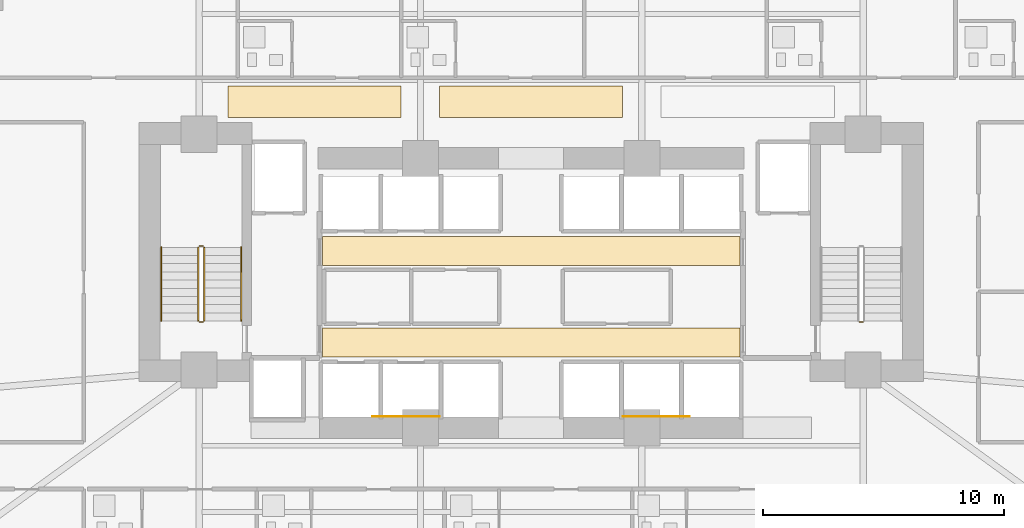
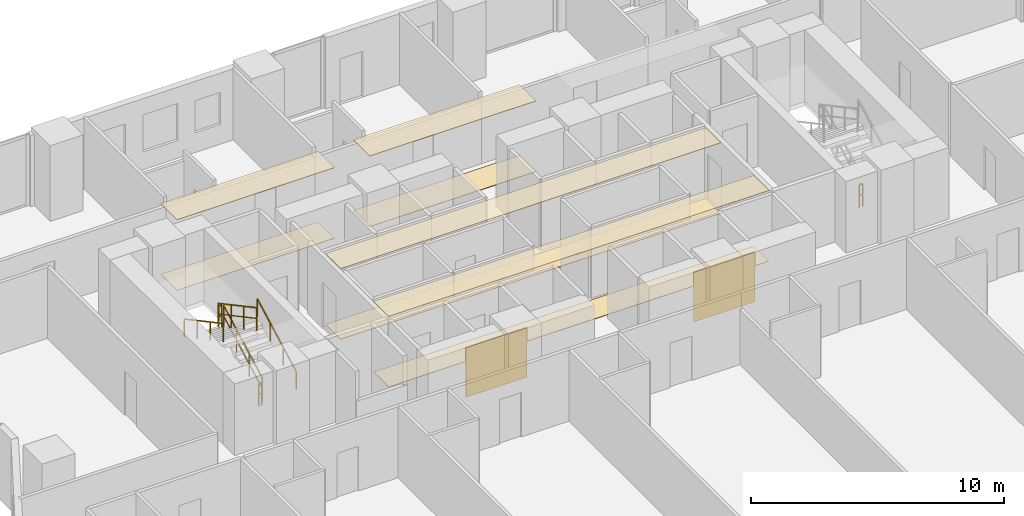
# One storey, part 25 of 28: 10 coverings, 7 railings.
"""IFC4 building model written with IfcOpenShell, lengths in metres."""

from ifc_helpers import new_model, si_unit, direction, frame, origin, origin_2d, place, context, subcontext, project, spatial, polyline, rectangle, outline, extrude, material, layer, layer_set, type_object, element, save


model = new_model("IFC4")

# Units and contexts
model_context = context("Model", 3, precision=1e-05, world=origin(), true_north=direction((0.0, 1.0)))
body_context = subcontext(model_context, "Body", "Model", "MODEL_VIEW")
ifc_project = project(units=[si_unit("LENGTHUNIT", "METRE"), si_unit("AREAUNIT", "SQUARE_METRE"), si_unit("VOLUMEUNIT", "CUBIC_METRE"), si_unit("PLANEANGLEUNIT", "RADIAN"), si_unit("MASSUNIT", "GRAM", prefix="KILO")], contexts=[model_context])

# Site, building, storey
site_placement = place(None, origin())
site = spatial("IfcSite", under=ifc_project, at=site_placement, CompositionType="ELEMENT")
building_placement = place(site_placement, origin())
building = spatial("IfcBuilding", under=site, at=building_placement, Name="Zuhayl Quay Hotel", CompositionType="ELEMENT")
storey_placement = place(building_placement, frame((0.0, 0.0, 49.5)))
storey = spatial("IfcBuildingStorey", under=building, at=storey_placement, Name="L11", CompositionType="ELEMENT", Elevation=49.5)

# Coverings
ifc_material_1 = material(Name="Acoustic Mineral-Fibre Gypsum Board")
ifc_layer_1 = layer(ifc_material_1, 0.02490234375, Name="Acoustic Mineral-Fibre Gypsum Board")
ifc_layer_set_1 = layer_set([ifc_layer_1], Name="Acoustic Mineral-Fibre Gypsum Board")
covering_type_1 = type_object("IfcCoveringType", Name="CV_CEIL_ACOUSTIC", PredefinedType="CEILING", material=ifc_layer_set_1)
covering_1_placement = place(storey_placement, frame((0.0, 0.0, 3.405029296875)))
element("IfcCovering", 1, at=covering_1_placement, inside=storey, type_object=covering_type_1, Name="L11 Suspended Acoustic Lobby Ceiling S", PredefinedType="CEILING", context=body_context, shape_type="SweptSolid", body=[
    extrude(outline(polyline([(-8.679931640625, 5.10009765625), (8.679931640625, 5.10009765625), (8.679931640625, 6.300048828125), (-8.679931640625, 6.300048828125), (-8.679931640625, 5.10009765625)])), origin(), (0.0, 0.0, 1.0), 0.02490234375),
])
covering_2_placement = place(storey_placement, frame((0.0, 0.0, 3.405029296875)))
element("IfcCovering", 2, at=covering_2_placement, inside=storey, type_object=covering_type_1, Name="L11 Suspended Acoustic Lobby Ceiling N", PredefinedType="CEILING", context=body_context, shape_type="SweptSolid", body=[
    extrude(outline(polyline([(-8.679931640625, 8.89990234375), (8.679931640625, 8.89990234375), (8.679931640625, 10.10009765625), (-8.679931640625, 10.10009765625), (-8.679931640625, 8.89990234375)])), origin(), (0.0, 0.0, 1.0), 0.02490234375),
])
covering_3_placement = place(storey_placement, frame((0.0, 0.0, 3.405029296875)))
element("IfcCovering", 3, at=covering_3_placement, inside=storey, type_object=covering_type_1, Name="L11 Guest Corridor Acoustic Ceiling CW", PredefinedType="CEILING", context=body_context, shape_type="SweptSolid", body=[
    extrude(outline(polyline([(-12.60009765625, 15.050048828125), (-5.39990234375, 15.050048828125), (-5.39990234375, 16.35009765625), (-12.60009765625, 16.35009765625), (-12.60009765625, 15.050048828125)])), origin(), (0.0, 0.0, 1.0), 0.02490234375),
])
covering_4_placement = place(storey_placement, frame((0.0, 0.0, 3.405029296875)))
element("IfcCovering", 4, at=covering_4_placement, inside=storey, type_object=covering_type_1, Name="L11 Guest Corridor Acoustic Ceiling CC", PredefinedType="CEILING", context=body_context, shape_type="SweptSolid", body=[
    extrude(outline(polyline([(-3.800048828125, 15.050048828125), (3.800048828125, 15.050048828125), (3.800048828125, 16.35009765625), (-3.800048828125, 16.35009765625), (-3.800048828125, 15.050048828125)])), origin(), (0.0, 0.0, 1.0), 0.02490234375),
])
ifc_material_2 = material(Name="Polished Limestone Terrazzo", Category="masonry")
ifc_layer_2 = layer(ifc_material_2, 0.02001953125, Name="Polished Limestone Terrazzo", Category="masonry")
ifc_layer_set_2 = layer_set([ifc_layer_2], Name="Polished Limestone Terrazzo")
covering_type_2 = type_object("IfcCoveringType", Name="CV_FLOOR_TERRAZZO", PredefinedType="FLOORING", material=ifc_layer_set_2)
covering_5_placement = place(storey_placement, origin())
element("IfcCovering", 5, at=covering_5_placement, inside=storey, type_object=covering_type_2, Name="L11 Honed Limestone Terrazzo Lobby Flooring S", PredefinedType="FLOORING", context=body_context, shape_type="SweptSolid", body=[
    extrude(outline(polyline([(-8.679931640625, 5.10009765625), (8.679931640625, 5.10009765625), (8.679931640625, 6.300048828125), (-8.679931640625, 6.300048828125), (-8.679931640625, 5.10009765625)])), origin(), (0.0, 0.0, 1.0), 0.02001953125),
])
covering_6_placement = place(storey_placement, origin())
element("IfcCovering", 6, at=covering_6_placement, inside=storey, type_object=covering_type_2, Name="L11 Honed Limestone Terrazzo Lobby Flooring N", PredefinedType="FLOORING", context=body_context, shape_type="SweptSolid", body=[
    extrude(outline(polyline([(-8.679931640625, 8.89990234375), (8.679931640625, 8.89990234375), (8.679931640625, 10.10009765625), (-8.679931640625, 10.10009765625), (-8.679931640625, 8.89990234375)])), origin(), (0.0, 0.0, 1.0), 0.02001953125),
])
covering_7_placement = place(storey_placement, origin())
element("IfcCovering", 7, at=covering_7_placement, inside=storey, type_object=covering_type_2, Name="L11 Guest Corridor Terrazzo Runner CW", PredefinedType="FLOORING", context=body_context, shape_type="SweptSolid", body=[
    extrude(outline(polyline([(-12.60009765625, 15.050048828125), (-5.39990234375, 15.050048828125), (-5.39990234375, 16.35009765625), (-12.60009765625, 16.35009765625), (-12.60009765625, 15.050048828125)])), origin(), (0.0, 0.0, 1.0), 0.02001953125),
])
covering_8_placement = place(storey_placement, origin())
element("IfcCovering", 8, at=covering_8_placement, inside=storey, type_object=covering_type_2, Name="L11 Guest Corridor Terrazzo Runner CC", PredefinedType="FLOORING", context=body_context, shape_type="SweptSolid", body=[
    extrude(outline(polyline([(-3.800048828125, 15.050048828125), (3.800048828125, 15.050048828125), (3.800048828125, 16.35009765625), (-3.800048828125, 16.35009765625), (-3.800048828125, 15.050048828125)])), origin(), (0.0, 0.0, 1.0), 0.02001953125),
])
ifc_material_3 = material(Name="Acoustic Walnut Feature Timber", Category="wood")
ifc_layer_3 = layer(ifc_material_3, 0.02197265625, Name="Acoustic Walnut Feature Timber", Category="wood")
ifc_layer_set_3 = layer_set([ifc_layer_3], Name="Acoustic Walnut Feature Timber")
covering_type_3 = type_object("IfcCoveringType", Name="CV_WALL_CLAD", PredefinedType="CLADDING", material=ifc_layer_set_3)
for number, where, z_axis, x_axis, name in (
    (9, (-5.199951171875, 2.611083984375, 0.300048828125), (0.0, 0.0, 1.0), (1.0, 0.0, 0.0), "L11 Feature Lobby Walnut Wall Cladding W"),
    (10, (5.199951171875, 2.611083984375, 0.300048828125), (0.0, 0.0, 1.0), (1.0, 0.0, 0.0), "L11 Feature Lobby Walnut Wall Cladding E"),
):
    element("IfcCovering", number, at=place(storey_placement, frame(where, z_axis=z_axis, x_axis=x_axis)), inside=storey, type_object=covering_type_3, Name=name, PredefinedType="CLADDING", context=body_context, shape_type="SweptSolid", body=[
        extrude(rectangle(XDim=2.800048828125, YDim=0.02197265625, at=origin_2d()), origin(), (0.0, 0.0, 1.0), 2.39990234375),
    ])

# Railings
ifc_material_4 = material(Name="Steel ASTM A992 Grade 50", Category="steel")
railing_type_1 = type_object("IfcRailingType", Name="RL_GUARD_1100", PredefinedType="GUARDRAIL", material=ifc_material_4)
railing_1_placement = place(storey_placement, frame((-13.590087890625, 6.590087890625, 0.1826171875)))
element("IfcRailing", 11, at=railing_1_placement, inside=storey, type_object=railing_type_1, Name="L11 ST1 stair guard 1", PredefinedType="GUARDRAIL", context=body_context, shape_type="SweptSolid", body=[
    extrude(rectangle(XDim=0.048095703125, YDim=0.048095703125, at=origin_2d()), frame((0.0, 0.0, 1.09619140625), z_axis=(0.0, 0.881102395774, 0.472925541879), x_axis=(-1.0, 0.0, 0.0)), (0.0, 0.0, 1.0), 3.47265625),
    extrude(rectangle(XDim=0.0361328125, YDim=0.0361328125, at=origin_2d()), frame((0.0, 0.0, 0.58251953125), z_axis=(0.0, 0.881102395774, 0.472925541879), x_axis=(-1.0, 0.0, 0.0)), (0.0, 0.0, 1.0), 3.47265625),
    extrude(rectangle(XDim=0.0419921875, YDim=0.0419921875, at=origin_2d()), origin(), (0.0, 0.0, 1.0), 1.072021484375),
    extrude(rectangle(XDim=0.0419921875, YDim=0.0419921875, at=origin_2d()), frame((0.0, 1.02001953125, 0.54736328125)), (0.0, 0.0, 1.0), 1.072021484375),
    extrude(rectangle(XDim=0.0419921875, YDim=0.0419921875, at=origin_2d()), frame((0.0, 2.039794921875, 1.094970703125)), (0.0, 0.0, 1.0), 1.072021484375),
    extrude(rectangle(XDim=0.0419921875, YDim=0.0419921875, at=origin_2d()), frame((0.0, 3.059814453125, 1.642333984375)), (0.0, 0.0, 1.0), 1.072021484375),
])
railing_2_placement = place(storey_placement, frame((-13.639892578125, 9.699951171875, 1.824951171875)))
element("IfcRailing", 12, at=railing_2_placement, inside=storey, type_object=railing_type_1, Name="L11 ST1 stair guard 2", PredefinedType="GUARDRAIL", context=body_context, shape_type="SweptSolid", body=[
    extrude(rectangle(XDim=0.048095703125, YDim=0.048095703125, at=origin_2d()), frame((0.0, 0.0, 1.09619140625), z_axis=(-1.0, 0.0, 0.0), x_axis=(0.0, -1.0, 0.0)), (0.0, 0.0, 1.0), 0.150146484375),
    extrude(rectangle(XDim=0.0361328125, YDim=0.0361328125, at=origin_2d()), frame((0.0, 0.0, 0.58251953125), z_axis=(-1.0, 0.0, 0.0), x_axis=(0.0, -1.0, 0.0)), (0.0, 0.0, 1.0), 0.150146484375),
    extrude(rectangle(XDim=0.0419921875, YDim=0.0419921875, at=origin_2d()), origin(), (0.0, 0.0, 1.0), 1.072021484375),
    extrude(rectangle(XDim=0.0419921875, YDim=0.0419921875, at=origin_2d()), frame((-0.150146484375, 0.0, 0.0)), (0.0, 0.0, 1.0), 1.072021484375),
])
railing_3_placement = place(storey_placement, frame((-13.840087890625, 9.64990234375, 2.007568359375)))
element("IfcRailing", 13, at=railing_3_placement, inside=storey, type_object=railing_type_1, Name="L11 ST1 stair guard 3", PredefinedType="GUARDRAIL", context=body_context, shape_type="SweptSolid", body=[
    extrude(rectangle(XDim=0.048095703125, YDim=0.048095703125, at=origin_2d()), frame((0.0, 0.0, 1.09619140625), z_axis=(0.0, -0.881102395774, 0.472925541879), x_axis=(1.0, 0.0, 0.0)), (0.0, 0.0, 1.0), 3.47265625),
    extrude(rectangle(XDim=0.0361328125, YDim=0.0361328125, at=origin_2d()), frame((0.0, 0.0, 0.58251953125), z_axis=(0.0, -0.881102395774, 0.472925541879), x_axis=(1.0, 0.0, 0.0)), (0.0, 0.0, 1.0), 3.47265625),
    extrude(rectangle(XDim=0.0419921875, YDim=0.0419921875, at=origin_2d()), origin(), (0.0, 0.0, 1.0), 1.072021484375),
    extrude(rectangle(XDim=0.0419921875, YDim=0.0419921875, at=origin_2d()), frame((0.0, -1.02001953125, 0.54736328125)), (0.0, 0.0, 1.0), 1.072021484375),
    extrude(rectangle(XDim=0.0419921875, YDim=0.0419921875, at=origin_2d()), frame((0.0, -2.039794921875, 1.094970703125)), (0.0, 0.0, 1.0), 1.072021484375),
    extrude(rectangle(XDim=0.0419921875, YDim=0.0419921875, at=origin_2d()), frame((0.0, -3.059814453125, 1.642333984375)), (0.0, 0.0, 1.0), 1.072021484375),
])
for number, where, name in (
    (14, (-13.639892578125, 6.5400390625, 0.0), "L11 ST1 stair guard 4"),
    (15, (13.7900390625, 6.5400390625, 0.0), "L11 ST2 stair guard 4"),
):
    element("IfcRailing", number, at=place(storey_placement, frame(where)), inside=storey, type_object=railing_type_1, Name=name, PredefinedType="GUARDRAIL", context=body_context, shape_type="SweptSolid", body=[
        extrude(rectangle(XDim=0.048095703125, YDim=0.048095703125, at=origin_2d()), frame((0.0, 0.0, 1.09619140625), z_axis=(-1.0, 0.0, 0.0), x_axis=(0.0, -1.0, 0.0)), (0.0, 0.0, 1.0), 0.150146484375),
        extrude(rectangle(XDim=0.0361328125, YDim=0.0361328125, at=origin_2d()), frame((0.0, 0.0, 0.58251953125), z_axis=(-1.0, 0.0, 0.0), x_axis=(0.0, -1.0, 0.0)), (0.0, 0.0, 1.0), 0.150146484375),
        extrude(rectangle(XDim=0.0419921875, YDim=0.0419921875, at=origin_2d()), origin(), (0.0, 0.0, 1.0), 1.072021484375),
        extrude(rectangle(XDim=0.0419921875, YDim=0.0419921875, at=origin_2d()), frame((-0.150146484375, 0.0, 0.0)), (0.0, 0.0, 1.0), 1.072021484375),
    ])
railing_type_2 = type_object("IfcRailingType", Name="RL_HANDRAIL_920", PredefinedType="HANDRAIL", material=ifc_material_4)
railing_4_placement = place(storey_placement, frame((-12.050048828125, 6.590087890625, 0.1826171875)))
element("IfcRailing", 16, at=railing_4_placement, inside=storey, type_object=railing_type_2, Name="L11 ST1 stair handrail 1", PredefinedType="HANDRAIL", context=body_context, shape_type="SweptSolid", body=[
    extrude(rectangle(XDim=0.048095703125, YDim=0.048095703125, at=origin_2d()), frame((0.0, 0.0, 0.8759765625), z_axis=(0.0, 0.881102395774, 0.472925541879), x_axis=(-1.0, 0.0, 0.0)), (0.0, 0.0, 1.0), 3.47265625),
    extrude(rectangle(XDim=0.0419921875, YDim=0.0419921875, at=origin_2d()), origin(), (0.0, 0.0, 1.0), 0.851806640625),
    extrude(rectangle(XDim=0.0419921875, YDim=0.0419921875, at=origin_2d()), frame((0.0, 1.02001953125, 0.54736328125)), (0.0, 0.0, 1.0), 0.851806640625),
    extrude(rectangle(XDim=0.0419921875, YDim=0.0419921875, at=origin_2d()), frame((0.0, 2.039794921875, 1.094970703125)), (0.0, 0.0, 1.0), 0.851806640625),
    extrude(rectangle(XDim=0.0419921875, YDim=0.0419921875, at=origin_2d()), frame((0.0, 3.059814453125, 1.642333984375)), (0.0, 0.0, 1.0), 0.851806640625),
])
railing_5_placement = place(storey_placement, frame((-15.3798828125, 9.64990234375, 2.007568359375)))
element("IfcRailing", 17, at=railing_5_placement, inside=storey, type_object=railing_type_2, Name="L11 ST1 stair handrail 2", PredefinedType="HANDRAIL", context=body_context, shape_type="SweptSolid", body=[
    extrude(rectangle(XDim=0.048095703125, YDim=0.048095703125, at=origin_2d()), frame((0.0, 0.0, 0.8759765625), z_axis=(0.0, -0.881102395774, 0.472925541879), x_axis=(1.0, 0.0, 0.0)), (0.0, 0.0, 1.0), 3.47265625),
    extrude(rectangle(XDim=0.0419921875, YDim=0.0419921875, at=origin_2d()), origin(), (0.0, 0.0, 1.0), 0.851806640625),
    extrude(rectangle(XDim=0.0419921875, YDim=0.0419921875, at=origin_2d()), frame((0.0, -1.02001953125, 0.54736328125)), (0.0, 0.0, 1.0), 0.851806640625),
    extrude(rectangle(XDim=0.0419921875, YDim=0.0419921875, at=origin_2d()), frame((0.0, -2.039794921875, 1.094970703125)), (0.0, 0.0, 1.0), 0.851806640625),
    extrude(rectangle(XDim=0.0419921875, YDim=0.0419921875, at=origin_2d()), frame((0.0, -3.059814453125, 1.642333984375)), (0.0, 0.0, 1.0), 0.851806640625),
])

save(model, "model.ifc")
